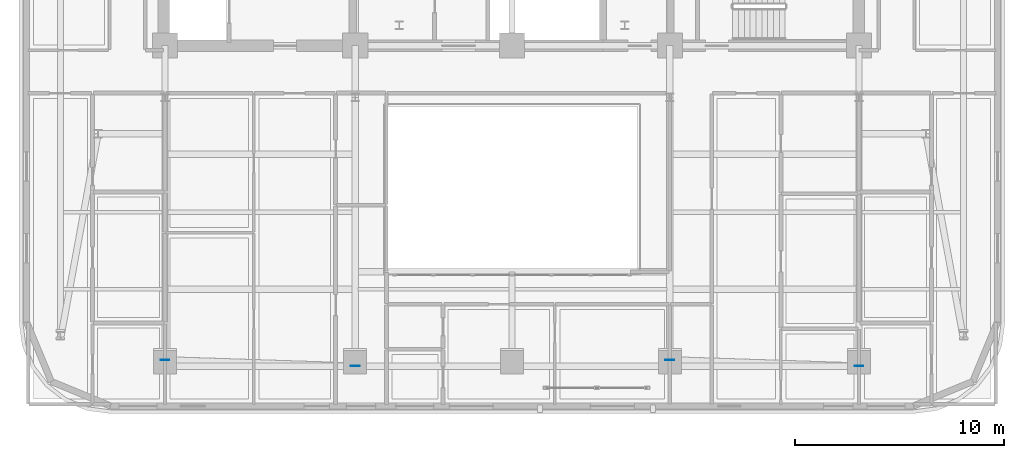
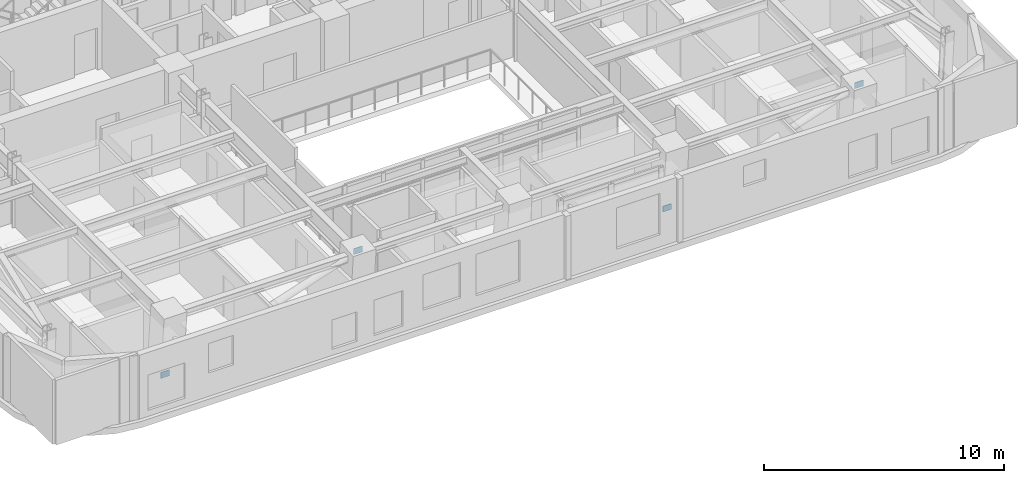
# One storey, part 5 of 13: 4 plates.
"""IFC4 building model written with IfcOpenShell, lengths in metres."""

from ifc_helpers import new_model, si_unit, direction, frame, origin, origin_2d, place, context, subcontext, project, spatial, rectangle, extrude, material, layer, layer_set, type_object, element, save


model = new_model("IFC4")

# Units and contexts
model_context = context("Model", 3, precision=1e-05, world=origin(), true_north=direction((0.0, 1.0)))
body_context = subcontext(model_context, "Body", "Model", "MODEL_VIEW")
ifc_project = project(units=[si_unit("LENGTHUNIT", "METRE"), si_unit("AREAUNIT", "SQUARE_METRE"), si_unit("VOLUMEUNIT", "CUBIC_METRE"), si_unit("PLANEANGLEUNIT", "RADIAN"), si_unit("MASSUNIT", "GRAM", prefix="KILO")], contexts=[model_context])

# Site, building, storey
site_placement = place(None, origin())
site = spatial("IfcSite", under=ifc_project, at=site_placement, CompositionType="ELEMENT")
building_placement = place(site_placement, origin())
building = spatial("IfcBuilding", under=site, at=building_placement, Name="Zarnavel Station Tower", CompositionType="ELEMENT")
storey_placement = place(building_placement, frame((0.0, 0.0, 148.35009765625)))
storey = spatial("IfcBuildingStorey", under=building, at=storey_placement, Name="L40", CompositionType="ELEMENT", Elevation=148.35009765625)

# Plates
ifc_material = material(Name="Steel S460M", Category="steel")
ifc_layer = layer(ifc_material, 0.02490234375)
ifc_layer_set = layer_set([ifc_layer], Name="GP_GUSSET_25")
plate_type = type_object("IfcPlateType", Name="GP_GUSSET_25", PredefinedType="USERDEFINED", material=ifc_layer_set)
for number, where, z_axis, x_axis, name in (
    (1, (12.199951171875, 12.784423828125, -0.14990234375), (0.0, 0.0, 1.0), (1.0, 0.0, 0.0), "L40 Exterior Diagonal Brace End Gusset 1-1"),
    (2, (21.300048828125, 12.486328125, 3.1396484375), (0.0, 0.0, 1.0), (1.0, 0.0, 0.0), "L40 Exterior Diagonal Brace End Gusset 1-2"),
    (3, (36.35009765625, 12.784423828125, -0.14990234375), (0.0, 0.0, 1.0), (1.0, 0.0, 0.0), "L40 Exterior Diagonal Brace End Gusset 2-1"),
    (4, (45.39990234375, 12.486328125, 3.1396484375), (0.0, 0.0, 1.0), (1.0, 0.0, 0.0), "L40 Exterior Diagonal Brace End Gusset 2-2"),
):
    element("IfcPlate", number, at=place(storey_placement, frame(where, z_axis=z_axis, x_axis=x_axis)), inside=storey, type_object=plate_type, Name=name, ObjectType="GUSSET_PLATE", PredefinedType="USERDEFINED", context=body_context, shape_type="SweptSolid", body=[
        extrude(rectangle(XDim=0.419921875, YDim=0.02490234375, at=origin_2d()), origin(), (0.0, 0.0, 1.0), 0.300048828125),
    ])

save(model, "model.ifc")
